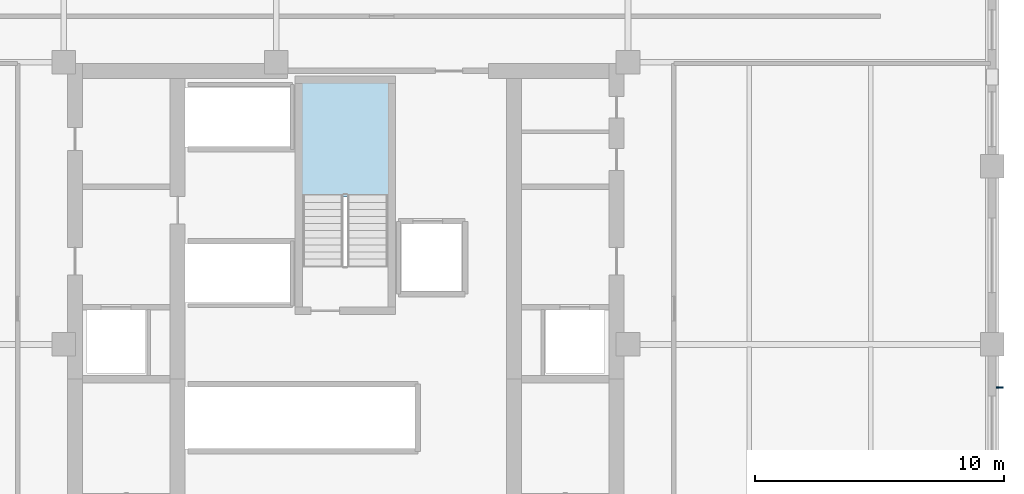
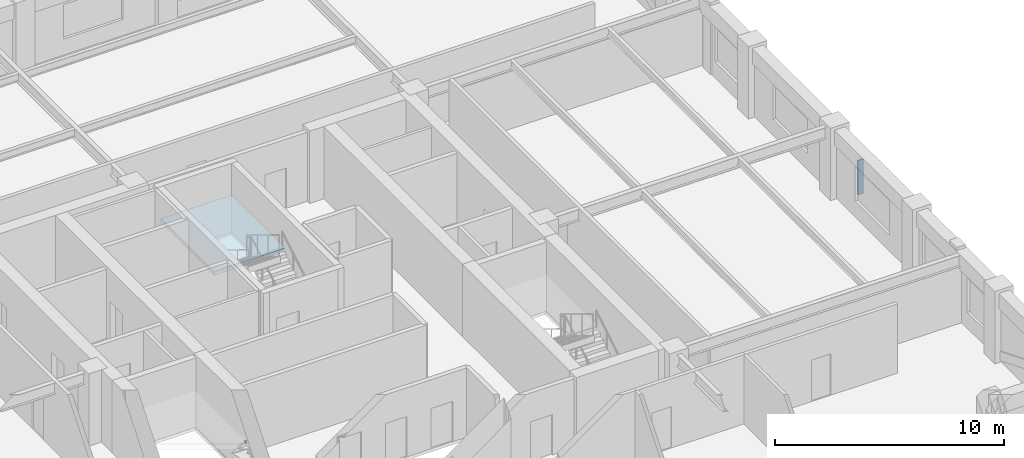
# One storey, part 4 of 9: 1 plate, 1 slab, 1 element without a shape of its own.
"""IFC4 building model written with IfcOpenShell, lengths in metres."""

from ifc_helpers import new_model, si_unit, direction, frame, origin, origin_2d, place, context, subcontext, project, spatial, polyline, rectangle, outline, extrude, material, layer, layer_set, type_object, element, aggregate, save


model = new_model("IFC4")

# Units and contexts
model_context = context("Model", 3, precision=1e-05, world=origin(), true_north=direction((0.0, 1.0)))
body_context = subcontext(model_context, "Body", "Model", "MODEL_VIEW")
ifc_project = project(units=[si_unit("LENGTHUNIT", "METRE"), si_unit("AREAUNIT", "SQUARE_METRE"), si_unit("VOLUMEUNIT", "CUBIC_METRE"), si_unit("PLANEANGLEUNIT", "RADIAN"), si_unit("MASSUNIT", "GRAM", prefix="KILO")], contexts=[model_context])

# Site, building, storey
site_placement = place(None, origin())
site = spatial("IfcSite", under=ifc_project, at=site_placement, CompositionType="ELEMENT")
building_placement = place(site_placement, origin())
building = spatial("IfcBuilding", under=site, at=building_placement, Name="Nhamokura Convention Tower", CompositionType="ELEMENT")
storey_placement = place(building_placement, frame((0.0, 0.0, 156.800048828125)))
storey = spatial("IfcBuildingStorey", under=building, at=storey_placement, Name="L38", CompositionType="ELEMENT", Elevation=156.800048828125)

# Plate
ifc_material_1 = material(Name="Anodised bronze aluminium AA6063-T6", Category="aluminium")
plate_type = type_object("IfcPlateType", Name="BronzeSolarFin_2", PredefinedType="USERDEFINED", material=ifc_material_1)
plate_placement = place(storey_placement, frame((58.300048828125, 30.2666015625, 0.849853515625), z_axis=(0.0, 0.0, 1.0), x_axis=(1.0, 0.0, 0.0)))
element("IfcPlate", 1, at=plate_placement, inside=storey, type_object=plate_type, Name="L38 Bronze Solar Shading Fin EAST 2", ObjectType="SOLAR_FIN", PredefinedType="USERDEFINED", context=body_context, shape_type="SweptSolid", body=[
    extrude(rectangle(XDim=0.280029296875, YDim=0.06005859375, at=origin_2d()), origin(), (0.0, 0.0, 1.0), 1.8349609375),
])

# Stair, slab
ifc_material_2 = material(Name="Concrete C40/50", Category="concrete")
stair_type = type_object("IfcStairType", Name="TowerCoreStair_1650", PredefinedType="HALF_TURN_STAIR", material=ifc_material_2)
stair_placement = place(storey_placement, origin())
stair = element("IfcStair", 2, at=stair_placement, inside=storey, type_object=stair_type, Name="L38 North Core Smokeproof Stair ST-03", PredefinedType="HALF_TURN_STAIR")
ifc_material_3 = material(Name="Concrete C40/50", Category="concrete")
ifc_layer = layer(ifc_material_3, 0.199951171875)
ifc_layer_set = layer_set([ifc_layer], Name="StairLandingSlab_200")
slab_type = type_object("IfcSlabType", Name="StairLandingSlab_200", PredefinedType="LANDING", material=ifc_layer_set)
slab_placement = place(storey_placement, frame((0.0, 0.0, 1.724853515625)))
slab = element("IfcSlab", 3, at=slab_placement, type_object=slab_type, Name="ST-03 landing 1", PredefinedType="LANDING", context=body_context, shape_type="SweptSolid", body=[
    extrude(outline(polyline([(33.780029296875, 37.919921875), (33.780029296875, 42.580078125), (30.169921875, 42.580078125), (30.169921875, 37.919921875), (33.780029296875, 37.919921875)])), origin(), (0.0, 0.0, 1.0), 0.2001953125),
])
aggregate(stair, [slab])

save(model, "model.ifc")
